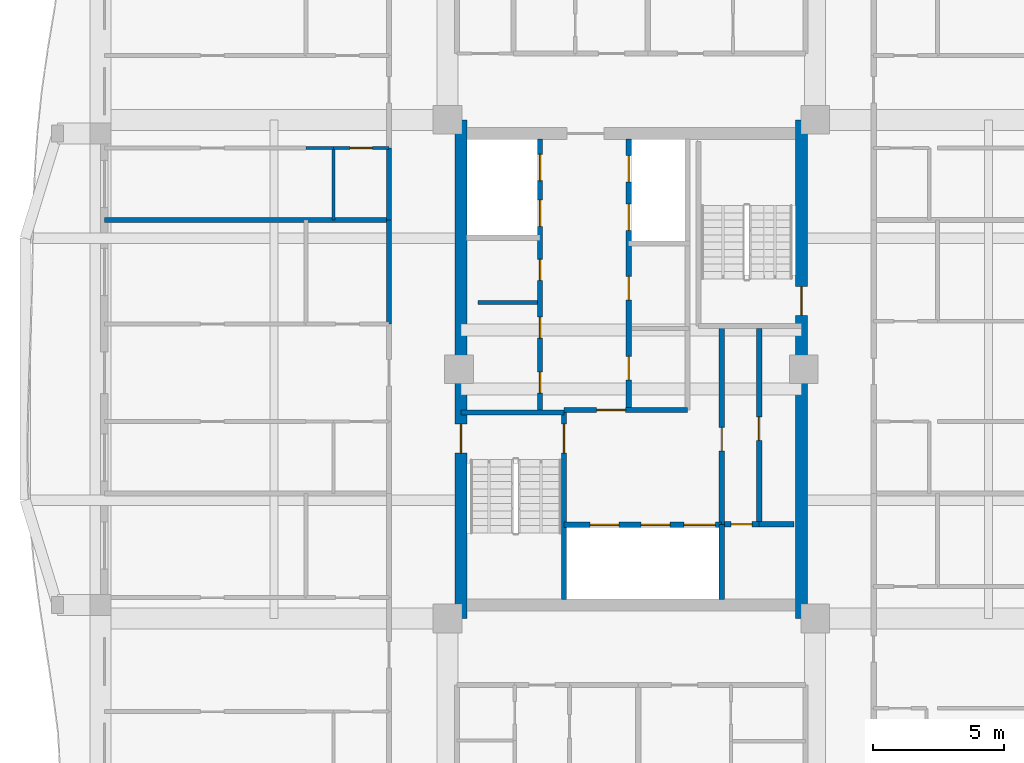
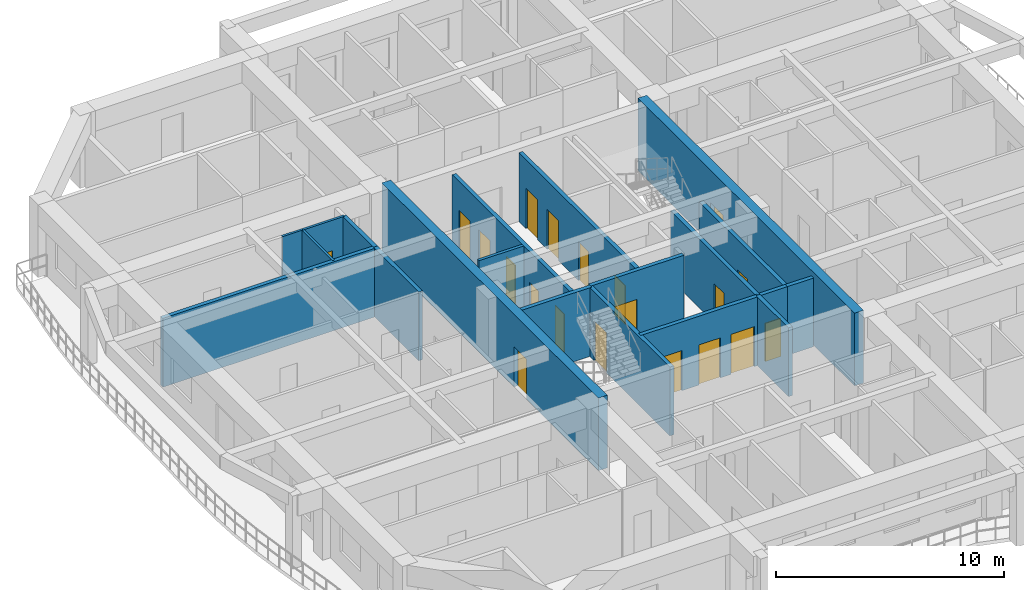
# One storey, part 4 of 14: 20 doors, 20 walls, 20 openings.
"""IFC4 building model written with IfcOpenShell, lengths in metres."""

from ifc_helpers import new_model, si_unit, direction, frame, frame_2d, origin, place, context, subcontext, project, spatial, rectangle, extrude, source, transform, mapped, material, layer, layer_set, type_object, element, fill, save


model = new_model("IFC4")

# Units and contexts
model_context = context("Model", 3, precision=1e-05, world=origin(), true_north=direction((0.0, 1.0)))
body_context = subcontext(model_context, "Body", "Model", "MODEL_VIEW")
ifc_project = project(units=[si_unit("LENGTHUNIT", "METRE"), si_unit("AREAUNIT", "SQUARE_METRE"), si_unit("VOLUMEUNIT", "CUBIC_METRE"), si_unit("PLANEANGLEUNIT", "RADIAN"), si_unit("MASSUNIT", "GRAM", prefix="KILO")], contexts=[model_context])

# Site, building, storey
site_placement = place(None, origin())
site = spatial("IfcSite", under=ifc_project, at=site_placement, CompositionType="ELEMENT")
building_placement = place(site_placement, origin())
building = spatial("IfcBuilding", under=site, at=building_placement, Name="Saelheon Loggia Tower", CompositionType="ELEMENT")
storey_placement = place(building_placement, frame((0.0, 0.0, 182.800048828125)))
storey = spatial("IfcBuildingStorey", under=building, at=storey_placement, Name="L57", CompositionType="ELEMENT", Elevation=182.800048828125)

# Wall, opening, door
ifc_material_1 = material(Name="Concrete C45/55", Category="concrete")
ifc_layer_1 = layer(ifc_material_1, 0.449951171875)
ifc_layer_set_1 = layer_set([ifc_layer_1], Name="Concrete C45/55")
wall_type_1 = type_object("IfcWallType", Name="Wall_CoreShear_450", PredefinedType="SHEAR", material=ifc_layer_set_1)
wall_1_placement = place(storey_placement, frame((31.5, 17.47998046875, 0.0), z_axis=(0.0, 0.0, 1.0), x_axis=(0.0, 1.0, 0.0)))
wall_1 = element("IfcWall", 1, at=wall_1_placement, inside=storey, type_object=wall_type_1, Name="L57 Core Shear Wall West", PredefinedType="SHEAR", context=body_context, shape_type="SweptSolid", body=[
    extrude(rectangle(XDim=19.0400390625, YDim=0.449951171875, at=frame_2d((9.52001953125, 0.0))), origin(), (0.0, 0.0, 1.0), 3.89990234375),
])
opening_1_placement = place(wall_1_placement, frame((6.320068359375, 0.0, 0.0)))
opening_1 = element("IfcOpeningElement", 2, at=opening_1_placement, cuts=wall_1, Name="Opening D-FD2", PredefinedType="OPENING", context=body_context, shape_type="SweptSolid", body=[
    extrude(rectangle(XDim=1.10009765625, YDim=2.14990234375, at=frame_2d((0.550048828125, 1.074951171875))), frame((0.0, 0.237060546875, 0.0), z_axis=(0.0, -1.0, 0.0), x_axis=(1.0, 0.0, 0.0)), (0.0, 0.0, 1.0), 0.473876953125),
])
ifc_material_2 = material(Name="Galvanised Steel Fire Door", Category="steel")
door_type_1 = type_object("IfcDoorType", Name="Door_Fire_FD60_1100", OperationType="NOTDEFINED", PredefinedType="DOOR", material=ifc_material_2)
shared_shape_1 = source(origin(), body_context, "Body", "SweptSolid", [
    extrude(rectangle(XDim=1.10009765625, YDim=2.14990234375, at=frame_2d((0.550048828125, 1.074951171875))), frame((0.0, 0.02490234375, 0.0), z_axis=(0.0, -1.0, 0.0), x_axis=(1.0, 0.0, 0.0)), (0.0, 0.0, 1.0), 0.050048828125),
])
door_1_placement = place(opening_1_placement, origin())
door_1 = element("IfcDoor", 3, at=door_1_placement, inside=storey, type_object=door_type_1, Name="L57 Stair ST1 Corridor Door", OperationType="SINGLE_SWING_LEFT", OverallHeight=2.14990234375, OverallWidth=1.10009765625, PredefinedType="DOOR", context=body_context, shape_type="MappedRepresentation", body=[
    mapped(shared_shape_1, transform((0.0, 0.0, 0.0), scale=1.0)),
])
fill(opening_1, door_1)

wall_2_placement = place(storey_placement, frame((44.5, 17.47998046875, 0.0), z_axis=(0.0, 0.0, 1.0), x_axis=(0.0, 1.0, 0.0)))
wall_2 = element("IfcWall", 4, at=wall_2_placement, inside=storey, type_object=wall_type_1, Name="L57 Core Shear Wall East", PredefinedType="SHEAR", context=body_context, shape_type="SweptSolid", body=[
    extrude(rectangle(XDim=19.0400390625, YDim=0.449951171875, at=frame_2d((9.52001953125, 0.0))), origin(), (0.0, 0.0, 1.0), 3.89990234375),
])
opening_2_placement = place(wall_2_placement, frame((12.670166015625, 0.0, 0.0), z_axis=(0.0, 0.0, 1.0), x_axis=(-1.0, 0.0, 0.0)))
opening_2 = element("IfcOpeningElement", 5, at=opening_2_placement, cuts=wall_2, Name="Opening D-FD2", PredefinedType="OPENING", context=body_context, shape_type="SweptSolid", body=[
    extrude(rectangle(XDim=1.10009765625, YDim=2.14990234375, at=frame_2d((0.550048828125, 1.074951171875))), frame((0.0, 0.237060546875, 0.0), z_axis=(0.0, -1.0, 0.0), x_axis=(1.0, 0.0, 0.0)), (0.0, 0.0, 1.0), 0.473876953125),
])
door_2_placement = place(opening_2_placement, origin())
door_2 = element("IfcDoor", 6, at=door_2_placement, inside=storey, type_object=door_type_1, Name="L57 Stair ST2 Corridor Door", OperationType="SINGLE_SWING_RIGHT", OverallHeight=2.14990234375, OverallWidth=1.10009765625, PredefinedType="DOOR", context=body_context, shape_type="MappedRepresentation", body=[
    mapped(shared_shape_1, transform((0.0, 0.0, 0.0), scale=1.0)),
])
fill(opening_2, door_2)

# Walls
ifc_material_3 = material(Name="Lightweight Autoclaved Aerated Concrete Block and Acoustic Gypsum", Category="concrete")
ifc_layer_2 = layer(ifc_material_3, 0.14990234375)
ifc_layer_set_2 = layer_set([ifc_layer_2], Name="Lightweight Autoclaved Aerated Concrete Block and Acoustic Gypsum")
wall_type_2 = type_object("IfcWallType", Name="Wall_Part_150", PredefinedType="PARTITIONING", material=ifc_layer_set_2)
wall_3_placement = place(storey_placement, frame((32.14990234375, 29.550048828125, 0.0), z_axis=(0.0, 0.0, 1.0), x_axis=(1.0, 0.0, 0.0)))
element("IfcWall", 7, at=wall_3_placement, inside=storey, type_object=wall_type_2, Name="L57 Freed Core Partition PL1", PredefinedType="PARTITIONING", context=body_context, shape_type="SweptSolid", body=[
    extrude(rectangle(XDim=2.27001953125, YDim=0.14990234375, at=frame_2d((1.135009765625, 0.0))), origin(), (0.0, 0.0, 1.0), 3.68994140625),
])
ifc_material_4 = material(Name="Double Acoustic Stud and Fireboard Partition", Category="gypsum")
ifc_layer_3 = layer(ifc_material_4, 0.199951171875)
ifc_layer_set_3 = layer_set([ifc_layer_3], Name="Double Acoustic Stud and Fireboard Partition")
wall_type_3 = type_object("IfcWallType", Name="Wall_Party_200", PredefinedType="PARTITIONING", material=ifc_layer_set_3)
wall_4_placement = place(storey_placement, frame((28.75, 28.7275390625, 0.0), z_axis=(0.0, 0.0, 1.0), x_axis=(0.0, 1.0, 0.0)))
element("IfcWall", 8, at=wall_4_placement, inside=storey, type_object=wall_type_3, Name="L57 W Partition V16", PredefinedType="PARTITIONING", context=body_context, shape_type="SweptSolid", body=[
    extrude(rectangle(XDim=3.9677734375, YDim=0.199951171875, at=frame_2d((1.98388671875, 0.0))), origin(), (0.0, 0.0, 1.0), 3.68994140625),
])
wall_5_placement = place(storey_placement, frame((28.75, 32.6953125, 0.0), z_axis=(0.0, 0.0, 1.0), x_axis=(-1.0, 0.0, 0.0)))
element("IfcWall", 9, at=wall_5_placement, inside=storey, type_object=wall_type_3, Name="L57 W Partition U24", PredefinedType="PARTITIONING", context=body_context, shape_type="SweptSolid", body=[
    extrude(rectangle(XDim=10.85009765625, YDim=0.199951171875, at=frame_2d((5.425048828125, 0.0))), origin(), (0.0, 0.0, 1.0), 3.68994140625),
])
wall_6_placement = place(storey_placement, frame((28.75, 32.6953125, 0.0), z_axis=(0.0, 0.0, 1.0), x_axis=(0.0, 1.0, 0.0)))
element("IfcWall", 10, at=wall_6_placement, inside=storey, type_object=wall_type_3, Name="L57 W Partition V25", PredefinedType="PARTITIONING", context=body_context, shape_type="SweptSolid", body=[
    extrude(rectangle(XDim=2.75, YDim=0.199951171875, at=frame_2d((1.375, 0.0))), origin(), (0.0, 0.0, 1.0), 3.68994140625),
])

# Wall, opening, door
ifc_material_5 = material(Name="Concrete C40/50", Category="concrete")
ifc_layer_4 = layer(ifc_material_5, 0.199951171875)
ifc_layer_set_4 = layer_set([ifc_layer_4], Name="Concrete C40/50")
wall_type_4 = type_object("IfcWallType", Name="Wall_Shaft_200", PredefinedType="PARTITIONING", material=ifc_layer_set_4)
wall_7_placement = place(storey_placement, frame((41.550048828125, 21.080078125, 0.0), z_axis=(0.0, 0.0, 1.0), x_axis=(1.0, 0.0, 0.0)))
wall_7 = element("IfcWall", 11, at=wall_7_placement, inside=storey, type_object=wall_type_4, Name="CW-BOH-L57-HS", PredefinedType="PARTITIONING", context=body_context, shape_type="SweptSolid", body=[
    extrude(rectangle(XDim=1.329833984375, YDim=0.199951171875, at=frame_2d((0.6650390625, 0.0))), origin(), (0.0, 0.0, 1.0), 3.68994140625),
])
opening_3_placement = place(wall_7_placement, frame((0.260009765625, 0.0, 0.0)))
opening_3 = element("IfcOpeningElement", 12, at=opening_3_placement, cuts=wall_7, Name="Opening D-ST1", PredefinedType="OPENING", context=body_context, shape_type="SweptSolid", body=[
    extrude(rectangle(XDim=0.800048828125, YDim=2.050048828125, at=frame_2d((0.39990234375, 1.02490234375))), frame((0.0, 0.112060546875, 0.0), z_axis=(0.0, -1.0, 0.0), x_axis=(1.0, 0.0, 0.0)), (0.0, 0.0, 1.0), 0.223876953125),
])
ifc_material_6 = material(Name="Powder-Coated Steel Store Door", Category="steel")
door_type_2 = type_object("IfcDoorType", Name="Door_Store_800", OperationType="NOTDEFINED", PredefinedType="DOOR", material=ifc_material_6)
shared_shape_2 = source(origin(), body_context, "Body", "SweptSolid", [
    extrude(rectangle(XDim=0.800048828125, YDim=2.050048828125, at=frame_2d((0.39990234375, 1.02490234375))), frame((0.0, 0.02490234375, 0.0), z_axis=(0.0, -1.0, 0.0), x_axis=(1.0, 0.0, 0.0)), (0.0, 0.0, 1.0), 0.050048828125),
])
door_3_placement = place(opening_3_placement, origin())
door_3 = element("IfcDoor", 13, at=door_3_placement, inside=storey, type_object=door_type_2, Name="L57 Electrical Riser Door", OperationType="SINGLE_SWING_LEFT", OverallHeight=2.050048828125, OverallWidth=0.800048828125, PredefinedType="DOOR", context=body_context, shape_type="MappedRepresentation", body=[
    mapped(shared_shape_2, transform((0.0, 0.0, 0.0), scale=1.0)),
])
fill(opening_3, door_3)

# Wall
wall_8_placement = place(storey_placement, frame((42.8798828125, 21.080078125, 0.0), z_axis=(0.0, 0.0, 1.0), x_axis=(1.0, 0.0, 0.0)))
element("IfcWall", 14, at=wall_8_placement, inside=storey, type_object=wall_type_4, Name="CW-BOH-L57-HS2", PredefinedType="PARTITIONING", context=body_context, shape_type="SweptSolid", body=[
    extrude(rectangle(XDim=1.340087890625, YDim=0.199951171875, at=frame_2d((0.669921875, 0.0))), origin(), (0.0, 0.0, 1.0), 3.68994140625),
])

# Wall, opening, door
wall_9_placement = place(storey_placement, frame((42.8798828125, 21.080078125, 0.0), z_axis=(0.0, 0.0, 1.0), x_axis=(0.0, 1.0, 0.0)))
wall_9 = element("IfcWall", 15, at=wall_9_placement, inside=storey, type_object=wall_type_4, Name="CW-BOH-L57-VS", PredefinedType="PARTITIONING", context=body_context, shape_type="SweptSolid", body=[
    extrude(rectangle(XDim=7.469970703125, YDim=0.199951171875, at=frame_2d((3.73486328125, 0.0))), origin(), (0.0, 0.0, 1.0), 3.68994140625),
])
opening_4_placement = place(wall_9_placement, frame((3.199951171875, 0.0, 0.0)))
opening_4 = element("IfcOpeningElement", 16, at=opening_4_placement, cuts=wall_9, Name="Opening D-RS1", PredefinedType="OPENING", context=body_context, shape_type="SweptSolid", body=[
    extrude(rectangle(XDim=0.89990234375, YDim=2.10009765625, at=frame_2d((0.449951171875, 1.050048828125))), frame((0.0, 0.112060546875, 0.0), z_axis=(0.0, -1.0, 0.0), x_axis=(1.0, 0.0, 0.0)), (0.0, 0.0, 1.0), 0.223876953125),
])
ifc_material_7 = material(Name="Galvanised Steel Riser Access Door", Category="steel")
door_type_3 = type_object("IfcDoorType", Name="Door_Riser_FD60", OperationType="NOTDEFINED", PredefinedType="DOOR", material=ifc_material_7)
shared_shape_3 = source(origin(), body_context, "Body", "SweptSolid", [
    extrude(rectangle(XDim=0.89990234375, YDim=2.10009765625, at=frame_2d((0.449951171875, 1.050048828125))), frame((0.0, 0.02490234375, 0.0), z_axis=(0.0, -1.0, 0.0), x_axis=(1.0, 0.0, 0.0)), (0.0, 0.0, 1.0), 0.050048828125),
])
door_4_placement = place(opening_4_placement, origin())
door_4 = element("IfcDoor", 17, at=door_4_placement, inside=storey, type_object=door_type_3, Name="L57 Linen Store Door", OperationType="SINGLE_SWING_RIGHT", OverallHeight=2.10009765625, OverallWidth=0.89990234375, PredefinedType="DOOR", context=body_context, shape_type="MappedRepresentation", body=[
    mapped(shared_shape_3, transform((0.0, 0.0, 0.0), scale=1.0)),
])
fill(opening_4, door_4)

# Wall
wall_10_placement = place(storey_placement, frame((41.449951171875, 18.219970703125, 0.0), z_axis=(0.0, 0.0, 1.0), x_axis=(0.0, 1.0, 0.0)))
element("IfcWall", 18, at=wall_10_placement, inside=storey, type_object=wall_type_4, Name="CW-INT-L57-BOH-W0", PredefinedType="PARTITIONING", context=body_context, shape_type="SweptSolid", body=[
    extrude(rectangle(XDim=2.860107421875, YDim=0.199951171875, at=frame_2d((1.43017578125, 0.0))), origin(), (0.0, 0.0, 1.0), 3.68994140625),
])

# Wall, opening, door
wall_11_placement = place(storey_placement, frame((41.449951171875, 21.080078125, 0.0), z_axis=(0.0, 0.0, 1.0), x_axis=(0.0, 1.0, 0.0)))
wall_11 = element("IfcWall", 19, at=wall_11_placement, inside=storey, type_object=wall_type_4, Name="CW-INT-L57-BOH-W1", PredefinedType="PARTITIONING", context=body_context, shape_type="SweptSolid", body=[
    extrude(rectangle(XDim=7.52001953125, YDim=0.199951171875, at=frame_2d((3.760009765625, 0.0))), origin(), (0.0, 0.0, 1.0), 3.68994140625),
])
opening_5_placement = place(wall_11_placement, frame((2.800048828125, 0.0, 0.0)))
opening_5 = element("IfcOpeningElement", 20, at=opening_5_placement, cuts=wall_11, Name="Opening D-RS1", PredefinedType="OPENING", context=body_context, shape_type="SweptSolid", body=[
    extrude(rectangle(XDim=0.89990234375, YDim=2.10009765625, at=frame_2d((0.449951171875, 1.050048828125))), frame((0.0, 0.112060546875, 0.0), z_axis=(0.0, -1.0, 0.0), x_axis=(1.0, 0.0, 0.0)), (0.0, 0.0, 1.0), 0.223876953125),
])
door_5_placement = place(opening_5_placement, origin())
door_5 = element("IfcDoor", 21, at=door_5_placement, inside=storey, type_object=door_type_3, Name="L57 Service Store Door", OperationType="SINGLE_SWING_LEFT", OverallHeight=2.10009765625, OverallWidth=0.89990234375, PredefinedType="DOOR", context=body_context, shape_type="MappedRepresentation", body=[
    mapped(shared_shape_3, transform((0.0, 0.0, 0.0), scale=1.0)),
])
fill(opening_5, door_5)

# Wall, openings, doors
wall_12_placement = place(storey_placement, frame((35.429931640625, 21.06005859375, 0.0), z_axis=(0.0, 0.0, 1.0), x_axis=(1.0, 0.0, 0.0)))
wall_12 = element("IfcWall", 22, at=wall_12_placement, inside=storey, type_object=wall_type_4, Name="L57 Firefighting Lift Shaft Front Wall", PredefinedType="PARTITIONING", context=body_context, shape_type="SweptSolid", body=[
    extrude(rectangle(XDim=6.02001953125, YDim=0.199951171875, at=frame_2d((3.010009765625, 0.0))), origin(), (0.0, 0.0, 1.0), 3.68994140625),
])
opening_6_placement = place(wall_12_placement, frame((1.0, 0.0, 0.0)))
opening_6 = element("IfcOpeningElement", 23, at=opening_6_placement, cuts=wall_12, Name="Opening LD2", PredefinedType="OPENING", context=body_context, shape_type="SweptSolid", body=[
    extrude(rectangle(XDim=1.10009765625, YDim=2.14990234375, at=frame_2d((0.550048828125, 1.074951171875))), frame((0.0, 0.112060546875, 0.0), z_axis=(0.0, -1.0, 0.0), x_axis=(1.0, 0.0, 0.0)), (0.0, 0.0, 1.0), 0.223876953125),
])
opening_7_placement = place(wall_12_placement, frame((2.949951171875, 0.0, 0.0)))
opening_7 = element("IfcOpeningElement", 24, at=opening_7_placement, cuts=wall_12, Name="Opening LD2", PredefinedType="OPENING", context=body_context, shape_type="SweptSolid", body=[
    extrude(rectangle(XDim=1.10009765625, YDim=2.14990234375, at=frame_2d((0.550048828125, 1.074951171875))), frame((0.0, 0.112060546875, 0.0), z_axis=(0.0, -1.0, 0.0), x_axis=(1.0, 0.0, 0.0)), (0.0, 0.0, 1.0), 0.223876953125),
])
opening_8_placement = place(wall_12_placement, frame((4.580078125, 0.0, 0.0)))
opening_8 = element("IfcOpeningElement", 25, at=opening_8_placement, cuts=wall_12, Name="Opening LD3", PredefinedType="OPENING", context=body_context, shape_type="SweptSolid", body=[
    extrude(rectangle(XDim=1.199951171875, YDim=2.14990234375, at=frame_2d((0.60009765625, 1.074951171875))), frame((0.0, 0.112060546875, 0.0), z_axis=(0.0, -1.0, 0.0), x_axis=(1.0, 0.0, 0.0)), (0.0, 0.0, 1.0), 0.223876953125),
])
ifc_material_8 = material(Name="Firefighting Stainless Steel 316 Landing Door", Category="steel")
door_type_4 = type_object("IfcDoorType", Name="Door_Lift_LD2", OperationType="DOUBLE_DOOR_SLIDING", PredefinedType="DOOR", material=ifc_material_8)
door_6_placement = place(opening_6_placement, origin())
door_6 = element("IfcDoor", 26, at=door_6_placement, inside=storey, type_object=door_type_4, Name="L57 FF1 Landing Door", OperationType="DOUBLE_DOOR_SLIDING", OverallHeight=2.14990234375, OverallWidth=1.10009765625, PredefinedType="DOOR", context=body_context, shape_type="MappedRepresentation", body=[
    mapped(shared_shape_1, transform((0.0, 0.0, 0.0), scale=1.0)),
])
fill(opening_6, door_6)
door_7_placement = place(opening_7_placement, origin())
door_7 = element("IfcDoor", 27, at=door_7_placement, inside=storey, type_object=door_type_4, Name="L57 FF2 Landing Door", OperationType="DOUBLE_DOOR_SLIDING", OverallHeight=2.14990234375, OverallWidth=1.10009765625, PredefinedType="DOOR", context=body_context, shape_type="MappedRepresentation", body=[
    mapped(shared_shape_1, transform((0.0, 0.0, 0.0), scale=1.0)),
])
fill(opening_7, door_7)
ifc_material_9 = material(Name="Stretcher Lift Stainless Steel 304 Landing Door", Category="steel")
door_type_5 = type_object("IfcDoorType", Name="Door_Lift_LD3", OperationType="DOUBLE_DOOR_SLIDING", PredefinedType="DOOR", material=ifc_material_9)
shared_shape_4 = source(origin(), body_context, "Body", "SweptSolid", [
    extrude(rectangle(XDim=1.199951171875, YDim=2.14990234375, at=frame_2d((0.60009765625, 1.074951171875))), frame((0.0, 0.02490234375, 0.0), z_axis=(0.0, -1.0, 0.0), x_axis=(1.0, 0.0, 0.0)), (0.0, 0.0, 1.0), 0.050048828125),
])
door_8_placement = place(opening_8_placement, origin())
door_8 = element("IfcDoor", 28, at=door_8_placement, inside=storey, type_object=door_type_5, Name="L57 SV1 Landing Door", OperationType="DOUBLE_DOOR_SLIDING", OverallHeight=2.14990234375, OverallWidth=1.199951171875, PredefinedType="DOOR", context=body_context, shape_type="MappedRepresentation", body=[
    mapped(shared_shape_4, transform((0.0, 0.0, 0.0), scale=1.0)),
])
fill(opening_8, door_8)

# Wall, opening, door
wall_13_placement = place(storey_placement, frame((35.429931640625, 25.43994140625, 0.0), z_axis=(0.0, 0.0, 1.0), x_axis=(1.0, 0.0, 0.0)))
wall_13 = element("IfcWall", 29, at=wall_13_placement, inside=storey, type_object=wall_type_4, Name="L57 Firefighting Lobby Compartment Wall", PredefinedType="PARTITIONING", context=body_context, shape_type="SweptSolid", body=[
    extrude(rectangle(XDim=4.719970703125, YDim=0.199951171875, at=frame_2d((2.35986328125, 0.0))), origin(), (0.0, 0.0, 1.0), 3.68994140625),
])
opening_9_placement = place(wall_13_placement, frame((1.25, 0.0, 0.0)))
opening_9 = element("IfcOpeningElement", 30, at=opening_9_placement, cuts=wall_13, Name="Opening D-FD2", PredefinedType="OPENING", context=body_context, shape_type="SweptSolid", body=[
    extrude(rectangle(XDim=1.10009765625, YDim=2.14990234375, at=frame_2d((0.550048828125, 1.074951171875))), frame((0.0, 0.112060546875, 0.0), z_axis=(0.0, -1.0, 0.0), x_axis=(1.0, 0.0, 0.0)), (0.0, 0.0, 1.0), 0.223876953125),
])
door_9_placement = place(opening_9_placement, origin())
door_9 = element("IfcDoor", 31, at=door_9_placement, inside=storey, type_object=door_type_1, Name="L57 Firefighting Lobby Door", OperationType="SINGLE_SWING_RIGHT", OverallHeight=2.14990234375, OverallWidth=1.10009765625, PredefinedType="DOOR", context=body_context, shape_type="MappedRepresentation", body=[
    mapped(shared_shape_1, transform((0.0, 0.0, 0.0), scale=1.0)),
])
fill(opening_9, door_9)

# Wall, openings, doors
wall_14_placement = place(storey_placement, frame((34.52001953125, 25.43994140625, 0.0), z_axis=(0.0, 0.0, 1.0), x_axis=(0.0, 1.0, 0.0)))
wall_14 = element("IfcWall", 32, at=wall_14_placement, inside=storey, type_object=wall_type_4, Name="L57 West Passenger Lift Bank Wall", PredefinedType="PARTITIONING", context=body_context, shape_type="SweptSolid", body=[
    extrude(rectangle(XDim=10.340087890625, YDim=0.199951171875, at=frame_2d((5.169921875, 0.0))), origin(), (0.0, 0.0, 1.0), 3.68994140625),
])
opening_10_placement = place(wall_14_placement, frame((0.64990234375, 0.0, 0.0)))
opening_10 = element("IfcOpeningElement", 33, at=opening_10_placement, cuts=wall_14, Name="Opening D-ST1", PredefinedType="OPENING", context=body_context, shape_type="SweptSolid", body=[
    extrude(rectangle(XDim=0.800048828125, YDim=2.050048828125, at=frame_2d((0.39990234375, 1.02490234375))), frame((0.0, 0.112060546875, 0.0), z_axis=(0.0, -1.0, 0.0), x_axis=(1.0, 0.0, 0.0)), (0.0, 0.0, 1.0), 0.223876953125),
])
opening_11_placement = place(wall_14_placement, frame((2.75, 0.0, 0.0)))
opening_11 = element("IfcOpeningElement", 34, at=opening_11_placement, cuts=wall_14, Name="Opening D-ST1", PredefinedType="OPENING", context=body_context, shape_type="SweptSolid", body=[
    extrude(rectangle(XDim=0.800048828125, YDim=2.050048828125, at=frame_2d((0.39990234375, 1.02490234375))), frame((0.0, 0.112060546875, 0.0), z_axis=(0.0, -1.0, 0.0), x_axis=(1.0, 0.0, 0.0)), (0.0, 0.0, 1.0), 0.223876953125),
])
opening_12_placement = place(wall_14_placement, frame((4.949951171875, 0.0, 0.0)))
opening_12 = element("IfcOpeningElement", 35, at=opening_12_placement, cuts=wall_14, Name="Opening D-ST1", PredefinedType="OPENING", context=body_context, shape_type="SweptSolid", body=[
    extrude(rectangle(XDim=0.800048828125, YDim=2.050048828125, at=frame_2d((0.39990234375, 1.02490234375))), frame((0.0, 0.112060546875, 0.0), z_axis=(0.0, -1.0, 0.0), x_axis=(1.0, 0.0, 0.0)), (0.0, 0.0, 1.0), 0.223876953125),
])
opening_13_placement = place(wall_14_placement, frame((7.010009765625, 0.0, 0.0)))
opening_13 = element("IfcOpeningElement", 36, at=opening_13_placement, cuts=wall_14, Name="Opening LD1", PredefinedType="OPENING", context=body_context, shape_type="SweptSolid", body=[
    extrude(rectangle(XDim=1.0, YDim=2.14990234375, at=frame_2d((0.5, 1.074951171875))), frame((0.0, 0.112060546875, 0.0), z_axis=(0.0, -1.0, 0.0), x_axis=(1.0, 0.0, 0.0)), (0.0, 0.0, 1.0), 0.223876953125),
])
opening_14_placement = place(wall_14_placement, frame((8.760009765625, 0.0, 0.0)))
opening_14 = element("IfcOpeningElement", 37, at=opening_14_placement, cuts=wall_14, Name="Opening LD1", PredefinedType="OPENING", context=body_context, shape_type="SweptSolid", body=[
    extrude(rectangle(XDim=1.0, YDim=2.14990234375, at=frame_2d((0.5, 1.074951171875))), frame((0.0, 0.112060546875, 0.0), z_axis=(0.0, -1.0, 0.0), x_axis=(1.0, 0.0, 0.0)), (0.0, 0.0, 1.0), 0.223876953125),
])
ifc_material_10 = material(Name="Brushed Stainless Steel 304 Landing Door", Category="steel")
door_type_6 = type_object("IfcDoorType", Name="Door_Lift_LD1", OperationType="DOUBLE_DOOR_SLIDING", PredefinedType="DOOR", material=ifc_material_10)
shared_shape_5 = source(origin(), body_context, "Body", "SweptSolid", [
    extrude(rectangle(XDim=1.0, YDim=2.14990234375, at=frame_2d((0.5, 1.074951171875))), frame((0.0, 0.02490234375, 0.0), z_axis=(0.0, -1.0, 0.0), x_axis=(1.0, 0.0, 0.0)), (0.0, 0.0, 1.0), 0.050048828125),
])
door_10_placement = place(opening_13_placement, origin())
door_10 = element("IfcDoor", 38, at=door_10_placement, inside=storey, type_object=door_type_6, Name="L57 PH1 Landing Door", OperationType="DOUBLE_DOOR_SLIDING", OverallHeight=2.14990234375, OverallWidth=1.0, PredefinedType="DOOR", context=body_context, shape_type="MappedRepresentation", body=[
    mapped(shared_shape_5, transform((0.0, 0.0, 0.0), scale=1.0)),
])
fill(opening_13, door_10)
door_11_placement = place(opening_14_placement, origin())
door_11 = element("IfcDoor", 39, at=door_11_placement, inside=storey, type_object=door_type_6, Name="L57 PH2 Landing Door", OperationType="DOUBLE_DOOR_SLIDING", OverallHeight=2.14990234375, OverallWidth=1.0, PredefinedType="DOOR", context=body_context, shape_type="MappedRepresentation", body=[
    mapped(shared_shape_5, transform((0.0, 0.0, 0.0), scale=1.0)),
])
fill(opening_14, door_11)
door_12_placement = place(opening_10_placement, origin())
door_12 = element("IfcDoor", 40, at=door_12_placement, inside=storey, type_object=door_type_2, Name="L57 Telecom Store Door", OperationType="SINGLE_SWING_RIGHT", OverallHeight=2.050048828125, OverallWidth=0.800048828125, PredefinedType="DOOR", context=body_context, shape_type="MappedRepresentation", body=[
    mapped(shared_shape_2, transform((0.0, 0.0, 0.0), scale=1.0)),
])
fill(opening_10, door_12)
door_13_placement = place(opening_11_placement, origin())
door_13 = element("IfcDoor", 41, at=door_13_placement, inside=storey, type_object=door_type_2, Name="L57 Linen Closet Door", OperationType="SINGLE_SWING_LEFT", OverallHeight=2.050048828125, OverallWidth=0.800048828125, PredefinedType="DOOR", context=body_context, shape_type="MappedRepresentation", body=[
    mapped(shared_shape_2, transform((0.0, 0.0, 0.0), scale=1.0)),
])
fill(opening_11, door_13)
door_14_placement = place(opening_12_placement, origin())
door_14 = element("IfcDoor", 42, at=door_14_placement, inside=storey, type_object=door_type_2, Name="L57 Metering Store Door", OperationType="SINGLE_SWING_RIGHT", OverallHeight=2.050048828125, OverallWidth=0.800048828125, PredefinedType="DOOR", context=body_context, shape_type="MappedRepresentation", body=[
    mapped(shared_shape_2, transform((0.0, 0.0, 0.0), scale=1.0)),
])
fill(opening_12, door_14)

wall_15_placement = place(storey_placement, frame((37.89990234375, 25.43994140625, 0.0), z_axis=(0.0, 0.0, 1.0), x_axis=(0.0, 1.0, 0.0)))
wall_15 = element("IfcWall", 43, at=wall_15_placement, inside=storey, type_object=wall_type_4, Name="L57 East Passenger Lift Bank Wall", PredefinedType="PARTITIONING", context=body_context, shape_type="SweptSolid", body=[
    extrude(rectangle(XDim=10.340087890625, YDim=0.199951171875, at=frame_2d((5.169921875, 0.0))), origin(), (0.0, 0.0, 1.0), 3.68994140625),
])
opening_15_placement = place(wall_15_placement, frame((1.14990234375, 0.0, 0.0)))
opening_15 = element("IfcOpeningElement", 44, at=opening_15_placement, cuts=wall_15, Name="Opening D-RS1", PredefinedType="OPENING", context=body_context, shape_type="SweptSolid", body=[
    extrude(rectangle(XDim=0.89990234375, YDim=2.10009765625, at=frame_2d((0.449951171875, 1.050048828125))), frame((0.0, 0.112060546875, 0.0), z_axis=(0.0, -1.0, 0.0), x_axis=(1.0, 0.0, 0.0)), (0.0, 0.0, 1.0), 0.223876953125),
])
opening_16_placement = place(wall_15_placement, frame((4.199951171875, 0.0, 0.0)))
opening_16 = element("IfcOpeningElement", 45, at=opening_16_placement, cuts=wall_15, Name="Opening D-RS1", PredefinedType="OPENING", context=body_context, shape_type="SweptSolid", body=[
    extrude(rectangle(XDim=0.89990234375, YDim=2.10009765625, at=frame_2d((0.449951171875, 1.050048828125))), frame((0.0, 0.112060546875, 0.0), z_axis=(0.0, -1.0, 0.0), x_axis=(1.0, 0.0, 0.0)), (0.0, 0.0, 1.0), 0.223876953125),
])
opening_17_placement = place(wall_15_placement, frame((6.860107421875, 0.0, 0.0)))
opening_17 = element("IfcOpeningElement", 46, at=opening_17_placement, cuts=wall_15, Name="Opening LD1", PredefinedType="OPENING", context=body_context, shape_type="SweptSolid", body=[
    extrude(rectangle(XDim=1.0, YDim=2.14990234375, at=frame_2d((0.5, 1.074951171875))), frame((0.0, 0.112060546875, 0.0), z_axis=(0.0, -1.0, 0.0), x_axis=(1.0, 0.0, 0.0)), (0.0, 0.0, 1.0), 0.223876953125),
])
opening_18_placement = place(wall_15_placement, frame((8.7099609375, 0.0, 0.0)))
opening_18 = element("IfcOpeningElement", 47, at=opening_18_placement, cuts=wall_15, Name="Opening LD1", PredefinedType="OPENING", context=body_context, shape_type="SweptSolid", body=[
    extrude(rectangle(XDim=1.0, YDim=2.14990234375, at=frame_2d((0.5, 1.074951171875))), frame((0.0, 0.112060546875, 0.0), z_axis=(0.0, -1.0, 0.0), x_axis=(1.0, 0.0, 0.0)), (0.0, 0.0, 1.0), 0.223876953125),
])
door_15_placement = place(opening_15_placement, origin())
door_15 = element("IfcDoor", 48, at=door_15_placement, inside=storey, type_object=door_type_3, Name="L57 Upper Housekeeping Door", OperationType="SINGLE_SWING_LEFT", OverallHeight=2.10009765625, OverallWidth=0.89990234375, PredefinedType="DOOR", context=body_context, shape_type="MappedRepresentation", body=[
    mapped(shared_shape_3, transform((0.0, 0.0, 0.0), scale=1.0)),
])
fill(opening_15, door_15)
door_16_placement = place(opening_16_placement, origin())
door_16 = element("IfcDoor", 49, at=door_16_placement, inside=storey, type_object=door_type_3, Name="L57 Upper Pantry Door", OperationType="SINGLE_SWING_RIGHT", OverallHeight=2.10009765625, OverallWidth=0.89990234375, PredefinedType="DOOR", context=body_context, shape_type="MappedRepresentation", body=[
    mapped(shared_shape_3, transform((0.0, 0.0, 0.0), scale=1.0)),
])
fill(opening_16, door_16)
door_17_placement = place(opening_17_placement, origin())
door_17 = element("IfcDoor", 50, at=door_17_placement, inside=storey, type_object=door_type_6, Name="L57 PH3 Landing Door", OperationType="DOUBLE_DOOR_SLIDING", OverallHeight=2.14990234375, OverallWidth=1.0, PredefinedType="DOOR", context=body_context, shape_type="MappedRepresentation", body=[
    mapped(shared_shape_5, transform((0.0, 0.0, 0.0), scale=1.0)),
])
fill(opening_17, door_17)
door_18_placement = place(opening_18_placement, origin())
door_18 = element("IfcDoor", 51, at=door_18_placement, inside=storey, type_object=door_type_6, Name="L57 PH4 Landing Door", OperationType="DOUBLE_DOOR_SLIDING", OverallHeight=2.14990234375, OverallWidth=1.0, PredefinedType="DOOR", context=body_context, shape_type="MappedRepresentation", body=[
    mapped(shared_shape_5, transform((0.0, 0.0, 0.0), scale=1.0)),
])
fill(opening_18, door_18)

# Wall, opening, door
ifc_layer_5 = layer(ifc_material_1, 0.199951171875)
ifc_layer_set_5 = layer_set([ifc_layer_5], Name="Concrete C45/55")
wall_type_5 = type_object("IfcWallType", Name="Wall_StairShaft_RC200", PredefinedType="SOLIDWALL", material=ifc_layer_set_5)
wall_16_placement = place(storey_placement, frame((35.429931640625, 18.219970703125, 0.0), z_axis=(0.0, 0.0, 1.0), x_axis=(0.0, 1.0, 0.0)))
wall_16 = element("IfcWall", 52, at=wall_16_placement, inside=storey, type_object=wall_type_5, Name="L57 Stair ST1 Shaft Wall", PredefinedType="SOLIDWALL", context=body_context, shape_type="SweptSolid", body=[
    extrude(rectangle(XDim=7.219970703125, YDim=0.199951171875, at=frame_2d((3.60986328125, 0.0))), origin(), (0.0, 0.0, 1.0), 3.68994140625),
])
opening_19_placement = place(wall_16_placement, frame((6.68017578125, 0.0, 0.0), z_axis=(0.0, 0.0, 1.0), x_axis=(-1.0, 0.0, 0.0)))
opening_19 = element("IfcOpeningElement", 53, at=opening_19_placement, cuts=wall_16, Name="Opening D-FD2", PredefinedType="OPENING", context=body_context, shape_type="SweptSolid", body=[
    extrude(rectangle(XDim=1.10009765625, YDim=2.14990234375, at=frame_2d((0.550048828125, 1.074951171875))), frame((0.0, 0.112060546875, 0.0), z_axis=(0.0, -1.0, 0.0), x_axis=(1.0, 0.0, 0.0)), (0.0, 0.0, 1.0), 0.223876953125),
])
door_19_placement = place(opening_19_placement, origin())
door_19 = element("IfcDoor", 54, at=door_19_placement, inside=storey, type_object=door_type_1, Name="L57 Stair ST1 Lobby Door", OperationType="SINGLE_SWING_LEFT", OverallHeight=2.14990234375, OverallWidth=1.10009765625, PredefinedType="DOOR", context=body_context, shape_type="MappedRepresentation", body=[
    mapped(shared_shape_1, transform((0.0, 0.0, 0.0), scale=1.0)),
])
fill(opening_19, door_19)

# Walls
wall_17_placement = place(storey_placement, frame((31.5, 25.35009765625, 0.0), z_axis=(0.0, 0.0, 1.0), x_axis=(1.0, 0.0, 0.0)))
element("IfcWall", 55, at=wall_17_placement, inside=storey, type_object=wall_type_5, Name="L57 Stair ST1 North Wall", PredefinedType="SOLIDWALL", context=body_context, shape_type="SweptSolid", body=[
    extrude(rectangle(XDim=3.929931640625, YDim=0.199951171875, at=frame_2d((1.96484375, 0.0))), origin(), (0.0, 0.0, 1.0), 3.68994140625),
])
ifc_material_11 = material(Name="Moisture-Resistant Cement Board Partition", Category="gypsum")
ifc_layer_6 = layer(ifc_material_11, 0.1201171875)
ifc_layer_set_6 = layer_set([ifc_layer_6], Name="Moisture-Resistant Cement Board Partition")
wall_type_6 = type_object("IfcWallType", Name="Wall_WetPart_120", PredefinedType="PARTITIONING", material=ifc_layer_set_6)
wall_18_placement = place(storey_placement, frame((26.6298828125, 32.6953125, 0.0), z_axis=(0.0, 0.0, 1.0), x_axis=(0.0, 1.0, 0.0)))
element("IfcWall", 56, at=wall_18_placement, inside=storey, type_object=wall_type_6, Name="L57 W Partition V28", PredefinedType="PARTITIONING", context=body_context, shape_type="SweptSolid", body=[
    extrude(rectangle(XDim=2.75, YDim=0.1201171875, at=frame_2d((1.375, 0.0))), origin(), (0.0, 0.0, 1.0), 3.68994140625),
])

# Wall, opening, door
wall_19_placement = place(storey_placement, frame((28.75, 35.4453125, 0.0), z_axis=(0.0, 0.0, 1.0), x_axis=(-1.0, 0.0, 0.0)))
wall_19 = element("IfcWall", 57, at=wall_19_placement, inside=storey, type_object=wall_type_6, Name="L57 W Partition U30", PredefinedType="PARTITIONING", context=body_context, shape_type="SweptSolid", body=[
    extrude(rectangle(XDim=2.1201171875, YDim=0.1201171875, at=frame_2d((1.06005859375, 0.0))), origin(), (0.0, 0.0, 1.0), 3.68994140625),
])
opening_20_placement = place(wall_19_placement, frame((0.635009765625, 0.0, 0.0)))
opening_20 = element("IfcOpeningElement", 58, at=opening_20_placement, cuts=wall_19, Name="Opening D-BT1", PredefinedType="OPENING", context=body_context, shape_type="SweptSolid", body=[
    extrude(rectangle(XDim=0.85009765625, YDim=2.050048828125, at=frame_2d((0.425048828125, 1.02490234375))), frame((0.0, 0.072021484375, 0.0), z_axis=(0.0, -1.0, 0.0), x_axis=(1.0, 0.0, 0.0)), (0.0, 0.0, 1.0), 0.14404296875),
])
ifc_material_12 = material(Name="Moisture-Resistant Laminate Timber Door", Category="wood")
door_type_7 = type_object("IfcDoorType", Name="Door_Bath_850", OperationType="NOTDEFINED", PredefinedType="DOOR", material=ifc_material_12)
shared_shape_6 = source(origin(), body_context, "Body", "SweptSolid", [
    extrude(rectangle(XDim=0.85009765625, YDim=2.050048828125, at=frame_2d((0.425048828125, 1.02490234375))), frame((0.0, 0.02490234375, 0.0), z_axis=(0.0, -1.0, 0.0), x_axis=(1.0, 0.0, 0.0)), (0.0, 0.0, 1.0), 0.050048828125),
])
door_20_placement = place(opening_20_placement, origin())
door_20 = element("IfcDoor", 59, at=door_20_placement, inside=storey, type_object=door_type_7, Name="Unit U07 Bathroom Door", OperationType="SINGLE_SWING_LEFT", OverallHeight=2.050048828125, OverallWidth=0.85009765625, PredefinedType="DOOR", context=body_context, shape_type="MappedRepresentation", body=[
    mapped(shared_shape_6, transform((0.0, 0.0, 0.0), scale=1.0)),
])
fill(opening_20, door_20)

# Wall
wall_20_placement = place(storey_placement, frame((26.6298828125, 35.4453125, 0.0), z_axis=(0.0, 0.0, 1.0), x_axis=(-1.0, 0.0, 0.0)))
element("IfcWall", 60, at=wall_20_placement, inside=storey, type_object=wall_type_6, Name="L57 W Partition U31", PredefinedType="PARTITIONING", context=body_context, shape_type="SweptSolid", body=[
    extrude(rectangle(XDim=1.039794921875, YDim=0.1201171875, at=frame_2d((0.52001953125, 0.0))), origin(), (0.0, 0.0, 1.0), 3.68994140625),
])

save(model, "model.ifc")
